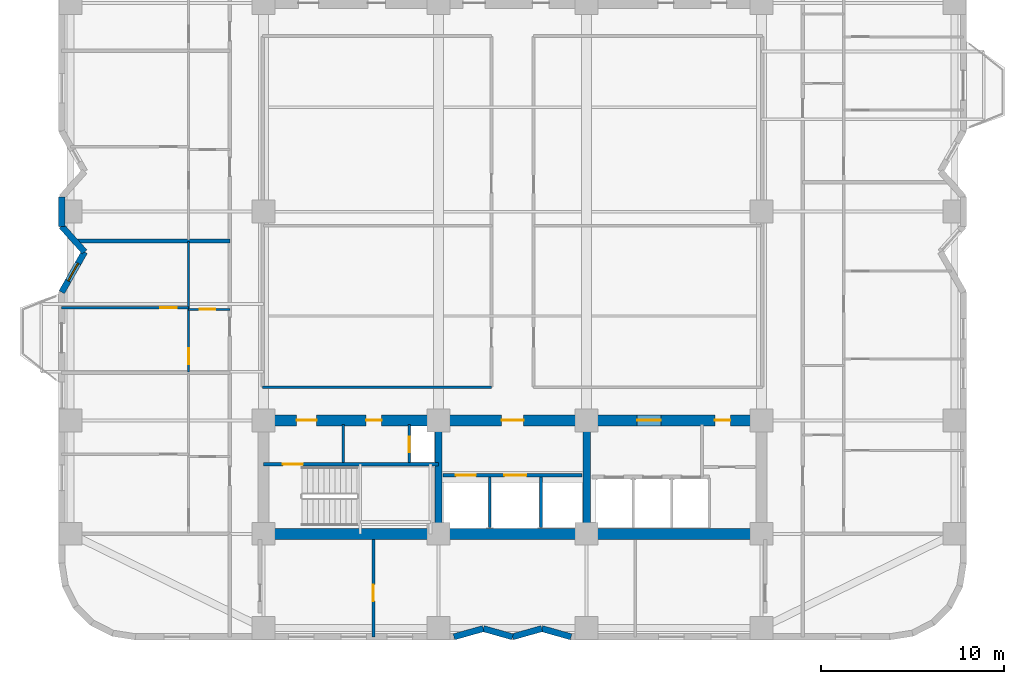
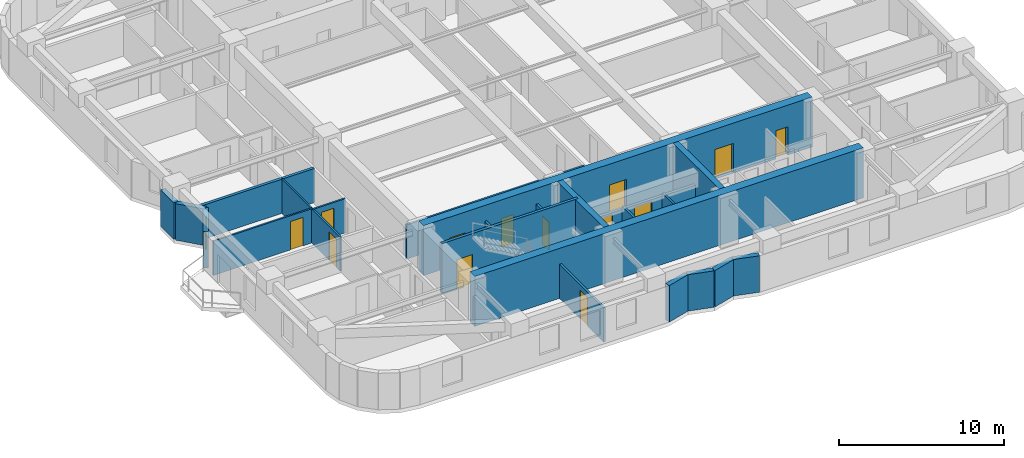
# One storey, part 3 of 9: 23 walls, 13 doors, 1 window, 14 openings.
"""IFC4 building model written with IfcOpenShell, lengths in metres."""

from ifc_helpers import new_model, si_unit, direction, frame, frame_2d, origin, place, context, subcontext, project, spatial, rectangle, extrude, material, layer, layer_set, type_object, element, fill, save


model = new_model("IFC4")

# Units and contexts
model_context = context("Model", 3, precision=1e-05, world=origin(), true_north=direction((0.0, 1.0)))
body_context = subcontext(model_context, "Body", "Model", "MODEL_VIEW")
ifc_project = project(units=[si_unit("LENGTHUNIT", "METRE"), si_unit("AREAUNIT", "SQUARE_METRE"), si_unit("VOLUMEUNIT", "CUBIC_METRE"), si_unit("PLANEANGLEUNIT", "RADIAN"), si_unit("MASSUNIT", "GRAM", prefix="KILO")], contexts=[model_context])

# Site, building, storey
site_placement = place(None, origin())
site = spatial("IfcSite", under=ifc_project, at=site_placement, CompositionType="ELEMENT")
building_placement = place(site_placement, origin())
building = spatial("IfcBuilding", under=site, at=building_placement, Name="Svetorya Sky Lyceum", CompositionType="ELEMENT")
storey_placement = place(building_placement, frame((0.0, 0.0, 51.0)))
storey = spatial("IfcBuildingStorey", under=building, at=storey_placement, Name="L12", CompositionType="ELEMENT", Elevation=51.0)

# Walls
ifc_material_1 = material(Name="Concrete C40/50", Category="concrete")
ifc_layer_1 = layer(ifc_material_1, 0.39990234375)
ifc_layer_set_1 = layer_set([ifc_layer_1], Name="Concrete C40/50")
wall_type_1 = type_object("IfcWallType", Name="WL-CORE-400", PredefinedType="SHEAR", material=ifc_layer_set_1)
for number, where, z_axis, x_axis, name in (
    (1, (35.14990234375, 10.89990234375, 0.0), (0.0, 0.0, 1.0), (0.0, 1.0, 0.0), "L12 SC Internal Shear Web WEB1"),
    (2, (43.25, 10.89990234375, 0.0), (0.0, 0.0, 1.0), (0.0, 1.0, 0.0), "L12 SC Internal Shear Web WEB2"),
):
    element("IfcWall", number, at=place(storey_placement, frame(where, z_axis=z_axis, x_axis=x_axis)), inside=storey, type_object=wall_type_1, Name=name, PredefinedType="SHEAR", context=body_context, shape_type="SweptSolid", body=[
        extrude(rectangle(XDim=5.60009765625, YDim=0.39990234375, at=frame_2d((2.800048828125, 0.0))), origin(), (0.0, 0.0, 1.0), 3.699951171875),
    ])
ifc_material_2 = material(Name="Concrete C60/75", Category="concrete")
ifc_layer_2 = layer(ifc_material_2, 0.60009765625)
ifc_layer_set_2 = layer_set([ifc_layer_2], Name="Concrete C60/75")
wall_type_2 = type_object("IfcWallType", Name="WL-CORE-600", PredefinedType="SHEAR", material=ifc_layer_set_2)
wall_1_placement = place(storey_placement, frame((52.800048828125, 10.60009765625, 0.0), z_axis=(0.0, 0.0, 1.0), x_axis=(-1.0, 0.0, 0.0)))
element("IfcWall", 3, at=wall_1_placement, inside=storey, type_object=wall_type_2, Name="L12 SC Outer Core Shear Wall", PredefinedType="SHEAR", context=body_context, shape_type="SweptSolid", body=[
    extrude(rectangle(XDim=27.199951171875, YDim=0.60009765625, at=frame_2d((13.60009765625, 0.0))), origin(), (0.0, 0.0, 1.0), 3.699951171875),
])

# Wall, openings, doors
wall_2_placement = place(storey_placement, frame((25.60009765625, 16.800048828125, 0.0), z_axis=(0.0, 0.0, 1.0), x_axis=(1.0, 0.0, 0.0)))
wall_2 = element("IfcWall", 4, at=wall_2_placement, inside=storey, type_object=wall_type_2, Name="L12 SC Inner Core Shear Wall", PredefinedType="SHEAR", context=body_context, shape_type="SweptSolid", body=[
    extrude(rectangle(XDim=27.199951171875, YDim=0.60009765625, at=frame_2d((13.60009765625, 0.0))), origin(), (0.0, 0.0, 1.0), 3.699951171875),
])
opening_1_placement = place(wall_2_placement, frame((1.800048828125, 0.0, 0.0)))
opening_1 = element("IfcOpeningElement", 5, at=opening_1_placement, cuts=wall_2, Name="Opening D-ST1", PredefinedType="OPENING", context=body_context, shape_type="SweptSolid", body=[
    extrude(rectangle(XDim=1.10009765625, YDim=2.14990234375, at=frame_2d((0.550048828125, 1.074951171875))), frame((0.0, 0.31005859375, 0.0), z_axis=(0.0, -1.0, 0.0), x_axis=(1.0, 0.0, 0.0)), (0.0, 0.0, 1.0), 0.6201171875),
])
opening_2_placement = place(wall_2_placement, frame((5.60009765625, 0.0, 0.0)))
opening_2 = element("IfcOpeningElement", 6, at=opening_2_placement, cuts=wall_2, Name="Opening D-CWC1", PredefinedType="OPENING", context=body_context, shape_type="SweptSolid", body=[
    extrude(rectangle(XDim=0.85009765625, YDim=2.10009765625, at=frame_2d((0.425048828125, 1.050048828125))), frame((0.0, 0.31005859375, 0.0), z_axis=(0.0, -1.0, 0.0), x_axis=(1.0, 0.0, 0.0)), (0.0, 0.0, 1.0), 0.6201171875),
])
opening_3_placement = place(wall_2_placement, frame((13.0, 0.0, 0.0)))
opening_3 = element("IfcOpeningElement", 7, at=opening_3_placement, cuts=wall_2, Name="Opening D-FL1", PredefinedType="OPENING", context=body_context, shape_type="SweptSolid", body=[
    extrude(rectangle(XDim=1.199951171875, YDim=2.14990234375, at=frame_2d((0.60009765625, 1.074951171875))), frame((0.0, 0.31005859375, 0.0), z_axis=(0.0, -1.0, 0.0), x_axis=(1.0, 0.0, 0.0)), (0.0, 0.0, 1.0), 0.6201171875),
])
opening_4_placement = place(wall_2_placement, frame((20.39990234375, 0.0, 0.0)))
opening_4 = element("IfcOpeningElement", 8, at=opening_4_placement, cuts=wall_2, Name="Opening D-LB1", PredefinedType="OPENING", context=body_context, shape_type="SweptSolid", body=[
    extrude(rectangle(XDim=1.300048828125, YDim=2.199951171875, at=frame_2d((0.64990234375, 1.10009765625))), frame((0.0, 0.31005859375, 0.0), z_axis=(0.0, -1.0, 0.0), x_axis=(1.0, 0.0, 0.0)), (0.0, 0.0, 1.0), 0.6201171875),
])
opening_5_placement = place(wall_2_placement, frame((24.64990234375, 0.0, 0.0)))
opening_5 = element("IfcOpeningElement", 9, at=opening_5_placement, cuts=wall_2, Name="Opening D-CWC1", PredefinedType="OPENING", context=body_context, shape_type="SweptSolid", body=[
    extrude(rectangle(XDim=0.85009765625, YDim=2.10009765625, at=frame_2d((0.425048828125, 1.050048828125))), frame((0.0, 0.31005859375, 0.0), z_axis=(0.0, -1.0, 0.0), x_axis=(1.0, 0.0, 0.0)), (0.0, 0.0, 1.0), 0.6201171875),
])
ifc_material_3 = material(Name="Fire-rated galvanized steel core service closet door", Category="steel")
door_type_1 = type_object("IfcDoorType", Name="DR-CWET-850", OperationType="SINGLE_SWING_LEFT", PredefinedType="DOOR", material=ifc_material_3)
door_1_placement = place(opening_2_placement, origin())
door_1 = element("IfcDoor", 10, at=door_1_placement, inside=storey, type_object=door_type_1, Name="L12 South Hydrant Room Door", OperationType="SINGLE_SWING_LEFT", OverallHeight=2.10009765625, OverallWidth=0.85009765625, PredefinedType="DOOR", context=body_context, shape_type="SweptSolid", body=[
    extrude(rectangle(XDim=0.85009765625, YDim=2.10009765625, at=frame_2d((0.425048828125, 1.050048828125))), frame((0.0, 0.02490234375, 0.0), z_axis=(0.0, -1.0, 0.0), x_axis=(1.0, 0.0, 0.0)), (0.0, 0.0, 1.0), 0.050048828125),
])
fill(opening_2, door_1)
door_2_placement = place(opening_5_placement, origin())
door_2 = element("IfcDoor", 11, at=door_2_placement, inside=storey, type_object=door_type_1, Name="L12 South Core Auxiliary Door", OperationType="SINGLE_SWING_LEFT", OverallHeight=2.10009765625, OverallWidth=0.85009765625, PredefinedType="DOOR", context=body_context, shape_type="SweptSolid", body=[
    extrude(rectangle(XDim=0.85009765625, YDim=2.10009765625, at=frame_2d((0.425048828125, 1.050048828125))), frame((0.0, 0.02490234375, 0.0), z_axis=(0.0, -1.0, 0.0), x_axis=(1.0, 0.0, 0.0)), (0.0, 0.0, 1.0), 0.050048828125),
])
fill(opening_5, door_2)
ifc_material_4 = material(Name="Powder-coated insulated galvanized stair fire door")
door_type_2 = type_object("IfcDoorType", Name="DR-FIRE-1100", OperationType="SINGLE_SWING_LEFT", PredefinedType="DOOR", material=ifc_material_4)
door_3_placement = place(opening_1_placement, origin())
door_3 = element("IfcDoor", 12, at=door_3_placement, inside=storey, type_object=door_type_2, Name="L12 South Stair Airlock Door", OperationType="SINGLE_SWING_RIGHT", OverallHeight=2.14990234375, OverallWidth=1.10009765625, PredefinedType="DOOR", context=body_context, shape_type="SweptSolid", body=[
    extrude(rectangle(XDim=1.10009765625, YDim=2.14990234375, at=frame_2d((0.550048828125, 1.074951171875))), frame((0.0, 0.02490234375, 0.0), z_axis=(0.0, -1.0, 0.0), x_axis=(1.0, 0.0, 0.0)), (0.0, 0.0, 1.0), 0.050048828125),
])
fill(opening_1, door_3)
ifc_material_5 = material(Name="Powder-coated insulated galvanized fire door")
door_type_3 = type_object("IfcDoorType", Name="DR-FIRE-1200", OperationType="SINGLE_SWING_LEFT", PredefinedType="DOOR", material=ifc_material_5)
door_4_placement = place(opening_3_placement, origin())
door_4 = element("IfcDoor", 13, at=door_4_placement, inside=storey, type_object=door_type_3, Name="L12 South Firefighting Lift Lobby Door", OperationType="SINGLE_SWING_LEFT", OverallHeight=2.14990234375, OverallWidth=1.199951171875, PredefinedType="DOOR", context=body_context, shape_type="SweptSolid", body=[
    extrude(rectangle(XDim=1.199951171875, YDim=2.14990234375, at=frame_2d((0.60009765625, 1.074951171875))), frame((0.0, 0.02490234375, 0.0), z_axis=(0.0, -1.0, 0.0), x_axis=(1.0, 0.0, 0.0)), (0.0, 0.0, 1.0), 0.050048828125),
])
fill(opening_3, door_4)
ifc_material_6 = material(Name="Glazed fire-rated aluminium lobby door", Category="aluminium")
door_type_4 = type_object("IfcDoorType", Name="DR-LOB-1300", OperationType="SINGLE_SWING_LEFT", PredefinedType="DOOR", material=ifc_material_6)
door_5_placement = place(opening_4_placement, origin())
door_5 = element("IfcDoor", 14, at=door_5_placement, inside=storey, type_object=door_type_4, Name="L12 Low-Rise Lift Lobby Door", OperationType="SINGLE_SWING_RIGHT", OverallHeight=2.199951171875, OverallWidth=1.300048828125, PredefinedType="DOOR", context=body_context, shape_type="SweptSolid", body=[
    extrude(rectangle(XDim=1.300048828125, YDim=2.199951171875, at=frame_2d((0.64990234375, 1.10009765625))), frame((0.0, 0.02490234375, 0.0), z_axis=(0.0, -1.0, 0.0), x_axis=(1.0, 0.0, 0.0)), (0.0, 0.0, 1.0), 0.050048828125),
])
fill(opening_4, door_5)

# Walls
ifc_material_7 = material(Name="Putilovo limestone rainscreen on autoclaved cellular masonry", Category="masonry")
ifc_layer_3 = layer(ifc_material_7, 0.340087890625)
ifc_layer_set_3 = layer_set([ifc_layer_3], Name="Putilovo limestone rainscreen on autoclaved cellular masonry")
wall_type_3 = type_object("IfcWallType", Name="WL-EXT-340", PredefinedType="SOLIDWALL", material=ifc_layer_set_3)
wall_3_placement = place(storey_placement, frame((36.0, 4.969970703125, 0.0), z_axis=(0.0, 0.0, 1.0), x_axis=(0.962662902433, 0.270703040766, 0.0)))
element("IfcWall", 15, at=wall_3_placement, inside=storey, type_object=wall_type_3, Name="L12 Limestone Exterior Wall 7M", PredefinedType="SOLIDWALL", context=body_context, shape_type="SweptSolid", body=[
    extrude(rectangle(XDim=1.662109375, YDim=0.340087890625, at=frame_2d((0.8310546875, 0.0))), origin(), (0.0, 0.0, 1.0), 2.699951171875),
])
wall_4_placement = place(storey_placement, frame((37.60009765625, 5.419921875, 0.0), z_axis=(0.0, 0.0, 1.0), x_axis=(0.962652136636, -0.270741322725, 0.0)))
element("IfcWall", 16, at=wall_4_placement, inside=storey, type_object=wall_type_3, Name="L12 Limestone Exterior Wall 8M", PredefinedType="SOLIDWALL", context=body_context, shape_type="SweptSolid", body=[
    extrude(rectangle(XDim=1.661865234375, YDim=0.340087890625, at=frame_2d((0.8310546875, 0.0))), origin(), (0.0, 0.0, 1.0), 2.699951171875),
])
wall_5_placement = place(storey_placement, frame((39.199951171875, 4.969970703125, 0.0), z_axis=(0.0, 0.0, 1.0), x_axis=(0.962662902433, 0.270703040766, 0.0)))
element("IfcWall", 17, at=wall_5_placement, inside=storey, type_object=wall_type_3, Name="L12 Limestone Exterior Wall 9M", PredefinedType="SOLIDWALL", context=body_context, shape_type="SweptSolid", body=[
    extrude(rectangle(XDim=1.662109375, YDim=0.340087890625, at=frame_2d((0.8310546875, 0.0))), origin(), (0.0, 0.0, 1.0), 2.699951171875),
])
wall_6_placement = place(storey_placement, frame((40.800048828125, 5.419921875, 0.0), z_axis=(0.0, 0.0, 1.0), x_axis=(0.962652136636, -0.270741322725, 0.0)))
element("IfcWall", 18, at=wall_6_placement, inside=storey, type_object=wall_type_3, Name="L12 Limestone Exterior Wall 10M", PredefinedType="SOLIDWALL", context=body_context, shape_type="SweptSolid", body=[
    extrude(rectangle(XDim=1.661865234375, YDim=0.340087890625, at=frame_2d((0.8310546875, 0.0))), origin(), (0.0, 0.0, 1.0), 2.699951171875),
])
wall_7_placement = place(storey_placement, frame((14.570068359375, 29.0, 0.0), z_axis=(0.0, 0.0, 1.0), x_axis=(0.0, -1.0, 0.0)))
element("IfcWall", 19, at=wall_7_placement, inside=storey, type_object=wall_type_3, Name="L12 Limestone Exterior Wall 43M", PredefinedType="SOLIDWALL", context=body_context, shape_type="SweptSolid", body=[
    extrude(rectangle(XDim=1.60009765625, YDim=0.340087890625, at=frame_2d((0.800048828125, 0.0))), origin(), (0.0, 0.0, 1.0), 2.699951171875),
])
wall_8_placement = place(storey_placement, frame((14.570068359375, 27.39990234375, 0.0), z_axis=(0.0, 0.0, 1.0), x_axis=(0.666041619974, -0.74591457987, 0.0)))
element("IfcWall", 20, at=wall_8_placement, inside=storey, type_object=wall_type_3, Name="L12 Limestone Exterior Wall 44M", PredefinedType="SOLIDWALL", context=body_context, shape_type="SweptSolid", body=[
    extrude(rectangle(XDim=1.876708984375, YDim=0.340087890625, at=frame_2d((0.9384765625, 0.0))), origin(), (0.0, 0.0, 1.0), 2.699951171875),
])

# Wall, opening, window
wall_9_placement = place(storey_placement, frame((15.820068359375, 26.0, 0.0), z_axis=(0.0, 0.0, 1.0), x_axis=(-0.494017696272, -0.869451847873, 0.0)))
wall_9 = element("IfcWall", 21, at=wall_9_placement, inside=storey, type_object=wall_type_3, Name="L12 Limestone Exterior Wall 45M", PredefinedType="SOLIDWALL", context=body_context, shape_type="SweptSolid", body=[
    extrude(rectangle(XDim=2.5302734375, YDim=0.340087890625, at=frame_2d((1.26513671875, 0.0))), origin(), (0.0, 0.0, 1.0), 2.699951171875),
])
opening_6_placement = place(wall_9_placement, frame((0.715087890625, 0.0, 0.889892578125)))
opening_6 = element("IfcOpeningElement", 22, at=opening_6_placement, cuts=wall_9, Name="Opening W-R3", PredefinedType="OPENING", context=body_context, shape_type="SweptSolid", body=[
    extrude(rectangle(XDim=1.10009765625, YDim=1.64990234375, at=frame_2d((0.550048828125, 0.824951171875))), frame((0.0, 0.179931640625, 0.0), z_axis=(0.0, -1.0, 0.0), x_axis=(1.0, 0.0, 0.0)), (0.0, 0.0, 1.0), 0.360107421875),
])
ifc_material_8 = material(Name="Thermally broken aluminium frame with triple low-E glazing", Category="aluminium")
window_type = type_object("IfcWindowType", Name="WN-RES-110", PartitioningType="SINGLE_PANEL", PredefinedType="WINDOW", material=ifc_material_8)
window_placement = place(opening_6_placement, origin())
window = element("IfcWindow", 23, at=window_placement, inside=storey, type_object=window_type, Name="L12 Facade Window W-R3.45M.1", OverallHeight=1.64990234375, OverallWidth=1.10009765625, PartitioningType="SINGLE_PANEL", PredefinedType="WINDOW", context=body_context, shape_type="SweptSolid", body=[
    extrude(rectangle(XDim=1.10009765625, YDim=1.64990234375, at=frame_2d((0.550048828125, 0.824951171875))), frame((0.0, 0.030029296875, 0.0), z_axis=(0.0, -1.0, 0.0), x_axis=(1.0, 0.0, 0.0)), (0.0, 0.0, 1.0), 0.06005859375),
])
fill(opening_6, window)

# Wall, opening, door
ifc_material_9 = material(Name="Twin-stud galvanized framing with double fireboard", Category="gypsum")
ifc_layer_4 = layer(ifc_material_9, 0.1201171875)
ifc_layer_set_4 = layer_set([ifc_layer_4], Name="Twin-stud galvanized framing with double fireboard")
wall_type_4 = type_object("IfcWallType", Name="WL-PART-120", PredefinedType="PARTITIONING", material=ifc_layer_set_4)
wall_10_placement = place(storey_placement, frame((21.5, 22.860107421875, 0.0), z_axis=(0.0, 0.0, 1.0), x_axis=(1.0, 0.0, 0.0)))
wall_10 = element("IfcWall", 24, at=wall_10_placement, inside=storey, type_object=wall_type_4, Name="L12 Interior Partition W2-WH1", PredefinedType="PARTITIONING", context=body_context, shape_type="SweptSolid", body=[
    extrude(rectangle(XDim=2.25, YDim=0.1201171875, at=frame_2d((1.125, 0.0))), origin(), (0.0, 0.0, 1.0), 2.530029296875),
])
opening_7_placement = place(wall_10_placement, frame((0.60009765625, 0.0, 0.0)))
opening_7 = element("IfcOpeningElement", 25, at=opening_7_placement, cuts=wall_10, Name="Opening D-BT1", PredefinedType="OPENING", context=body_context, shape_type="SweptSolid", body=[
    extrude(rectangle(XDim=0.85009765625, YDim=2.10009765625, at=frame_2d((0.425048828125, 1.050048828125))), frame((0.0, 0.070068359375, 0.0), z_axis=(0.0, -1.0, 0.0), x_axis=(1.0, 0.0, 0.0)), (0.0, 0.0, 1.0), 0.14013671875),
])
ifc_material_10 = material(Name="Moisture-resistant laminate bathroom door")
door_type_5 = type_object("IfcDoorType", Name="DR-WET-850", OperationType="SINGLE_SWING_LEFT", PredefinedType="DOOR", material=ifc_material_10)
door_6_placement = place(opening_7_placement, origin())
door_6 = element("IfcDoor", 26, at=door_6_placement, inside=storey, type_object=door_type_5, Name="Apartment W2 Bathroom Door", OperationType="SINGLE_SWING_RIGHT", OverallHeight=2.10009765625, OverallWidth=0.85009765625, PredefinedType="DOOR", context=body_context, shape_type="SweptSolid", body=[
    extrude(rectangle(XDim=0.85009765625, YDim=2.10009765625, at=frame_2d((0.425048828125, 1.050048828125))), frame((0.0, 0.02490234375, 0.0), z_axis=(0.0, -1.0, 0.0), x_axis=(1.0, 0.0, 0.0)), (0.0, 0.0, 1.0), 0.050048828125),
])
fill(opening_7, door_6)

wall_11_placement = place(storey_placement, frame((14.570068359375, 22.949951171875, 0.0), z_axis=(0.0, 0.0, 1.0), x_axis=(1.0, 0.0, 0.0)))
wall_11 = element("IfcWall", 27, at=wall_11_placement, inside=storey, type_object=wall_type_4, Name="L12 Interior Partition W2-WL1", PredefinedType="PARTITIONING", context=body_context, shape_type="SweptSolid", body=[
    extrude(rectangle(XDim=6.929931640625, YDim=0.1201171875, at=frame_2d((3.46484375, 0.0))), origin(), (0.0, 0.0, 1.0), 2.530029296875),
])
opening_8_placement = place(wall_11_placement, frame((5.3798828125, 0.0, 0.0)))
opening_8 = element("IfcOpeningElement", 28, at=opening_8_placement, cuts=wall_11, Name="Opening D-RM1", PredefinedType="OPENING", context=body_context, shape_type="SweptSolid", body=[
    extrude(rectangle(XDim=0.89990234375, YDim=2.10009765625, at=frame_2d((0.449951171875, 1.050048828125))), frame((0.0, 0.070068359375, 0.0), z_axis=(0.0, -1.0, 0.0), x_axis=(1.0, 0.0, 0.0)), (0.0, 0.0, 1.0), 0.14013671875),
])
ifc_material_11 = material(Name="Lacquered birch veneer internal door")
door_type_6 = type_object("IfcDoorType", Name="DR-INT-900", OperationType="SINGLE_SWING_LEFT", PredefinedType="DOOR", material=ifc_material_11)
door_7_placement = place(opening_8_placement, origin())
door_7 = element("IfcDoor", 29, at=door_7_placement, inside=storey, type_object=door_type_6, Name="Apartment W2 Bedroom 1 Door", OperationType="SINGLE_SWING_RIGHT", OverallHeight=2.10009765625, OverallWidth=0.89990234375, PredefinedType="DOOR", context=body_context, shape_type="SweptSolid", body=[
    extrude(rectangle(XDim=0.89990234375, YDim=2.10009765625, at=frame_2d((0.449951171875, 1.050048828125))), frame((0.0, 0.02490234375, 0.0), z_axis=(0.0, -1.0, 0.0), x_axis=(1.0, 0.0, 0.0)), (0.0, 0.0, 1.0), 0.050048828125),
])
fill(opening_8, door_7)

wall_12_placement = place(storey_placement, frame((21.5, 19.43994140625, 0.0), z_axis=(0.0, 0.0, 1.0), x_axis=(0.0, 1.0, 0.0)))
wall_12 = element("IfcWall", 30, at=wall_12_placement, inside=storey, type_object=wall_type_4, Name="L12 Interior Partition W2-WV", PredefinedType="PARTITIONING", context=body_context, shape_type="SweptSolid", body=[
    extrude(rectangle(XDim=7.1201171875, YDim=0.1201171875, at=frame_2d((3.56005859375, 0.0))), origin(), (0.0, 0.0, 1.0), 2.530029296875),
])
opening_9_placement = place(wall_12_placement, frame((0.409912109375, 0.0, 0.0)))
opening_9 = element("IfcOpeningElement", 31, at=opening_9_placement, cuts=wall_12, Name="Opening D-RM1", PredefinedType="OPENING", context=body_context, shape_type="SweptSolid", body=[
    extrude(rectangle(XDim=0.89990234375, YDim=2.10009765625, at=frame_2d((0.449951171875, 1.050048828125))), frame((0.0, 0.070068359375, 0.0), z_axis=(0.0, -1.0, 0.0), x_axis=(1.0, 0.0, 0.0)), (0.0, 0.0, 1.0), 0.14013671875),
])
door_8_placement = place(opening_9_placement, origin())
door_8 = element("IfcDoor", 32, at=door_8_placement, inside=storey, type_object=door_type_6, Name="Apartment W2 Living Door", OperationType="SINGLE_SWING_LEFT", OverallHeight=2.10009765625, OverallWidth=0.89990234375, PredefinedType="DOOR", context=body_context, shape_type="SweptSolid", body=[
    extrude(rectangle(XDim=0.89990234375, YDim=2.10009765625, at=frame_2d((0.449951171875, 1.050048828125))), frame((0.0, 0.02490234375, 0.0), z_axis=(0.0, -1.0, 0.0), x_axis=(1.0, 0.0, 0.0)), (0.0, 0.0, 1.0), 0.050048828125),
])
fill(opening_9, door_8)

# Wall
ifc_material_12 = material(Name="Autoclaved cellular masonry blockwork with acoustic render", Category="masonry")
ifc_layer_5 = layer(ifc_material_12, 0.14990234375)
ifc_layer_set_5 = layer_set([ifc_layer_5], Name="Autoclaved cellular masonry blockwork with acoustic render")
wall_type_5 = type_object("IfcWallType", Name="WL-PART-150", PredefinedType="PARTITIONING", material=ifc_layer_set_5)
wall_13_placement = place(storey_placement, frame((29.949951171875, 14.5, 0.0), z_axis=(0.0, 0.0, 1.0), x_axis=(0.0, 1.0, 0.0)))
element("IfcWall", 33, at=wall_13_placement, inside=storey, type_object=wall_type_5, Name="L12 Interior Partition SC-SWD1", PredefinedType="PARTITIONING", context=body_context, shape_type="SweptSolid", body=[
    extrude(rectangle(XDim=2.080078125, YDim=0.14990234375, at=frame_2d((1.0400390625, 0.0))), origin(), (0.0, 0.0, 1.0), 2.530029296875),
])

# Wall, opening, door
wall_14_placement = place(storey_placement, frame((33.550048828125, 14.5, 0.0), z_axis=(0.0, 0.0, 1.0), x_axis=(0.0, 1.0, 0.0)))
wall_14 = element("IfcWall", 34, at=wall_14_placement, inside=storey, type_object=wall_type_5, Name="L12 Interior Partition SC-SWD2", PredefinedType="PARTITIONING", context=body_context, shape_type="SweptSolid", body=[
    extrude(rectangle(XDim=2.080078125, YDim=0.14990234375, at=frame_2d((1.0400390625, 0.0))), origin(), (0.0, 0.0, 1.0), 2.530029296875),
])
opening_10_placement = place(wall_14_placement, frame((0.550048828125, 0.0, 0.0)))
opening_10 = element("IfcOpeningElement", 35, at=opening_10_placement, cuts=wall_14, Name="Opening D-SH1", PredefinedType="OPENING", context=body_context, shape_type="SweptSolid", body=[
    extrude(rectangle(XDim=0.85009765625, YDim=2.050048828125, at=frame_2d((0.425048828125, 1.02490234375))), frame((0.0, 0.0849609375, 0.0), z_axis=(0.0, -1.0, 0.0), x_axis=(1.0, 0.0, 0.0)), (0.0, 0.0, 1.0), 0.169921875),
])
ifc_material_13 = material(Name="Insulated galvanized riser inspection fire door")
door_type_7 = type_object("IfcDoorType", Name="DR-SHFT-850", OperationType="SINGLE_SWING_LEFT", PredefinedType="TRAPDOOR", material=ifc_material_13)
door_9_placement = place(opening_10_placement, origin())
door_9 = element("IfcDoor", 36, at=door_9_placement, inside=storey, type_object=door_type_7, Name="L12 South Riser Access Door", OperationType="SINGLE_SWING_RIGHT", OverallHeight=2.050048828125, OverallWidth=0.85009765625, PredefinedType="TRAPDOOR", context=body_context, shape_type="SweptSolid", body=[
    extrude(rectangle(XDim=0.85009765625, YDim=2.050048828125, at=frame_2d((0.425048828125, 1.02490234375))), frame((0.0, 0.02490234375, 0.0), z_axis=(0.0, -1.0, 0.0), x_axis=(1.0, 0.0, 0.0)), (0.0, 0.0, 1.0), 0.050048828125),
])
fill(opening_10, door_9)

# Walls
for number, where, z_axis, x_axis, name in (
    (37, (37.949951171875, 10.949951171875, 0.0), (0.0, 0.0, 1.0), (0.0, 1.0, 0.0), "L12 Interior Partition SC-SHD1"),
    (38, (40.75, 10.949951171875, 0.0), (0.0, 0.0, 1.0), (0.0, 1.0, 0.0), "L12 Interior Partition SC-SHD2"),
):
    element("IfcWall", number, at=place(storey_placement, frame(where, z_axis=z_axis, x_axis=x_axis)), inside=storey, type_object=wall_type_5, Name=name, PredefinedType="PARTITIONING", context=body_context, shape_type="SweptSolid", body=[
        extrude(rectangle(XDim=2.75, YDim=0.14990234375, at=frame_2d((1.375, 0.0))), origin(), (0.0, 0.0, 1.0), 2.530029296875),
    ])
wall_15_placement = place(storey_placement, frame((25.550048828125, 18.60009765625, 0.0), z_axis=(0.0, 0.0, 1.0), x_axis=(1.0, 0.0, 0.0)))
element("IfcWall", 39, at=wall_15_placement, inside=storey, type_object=wall_type_5, Name="L12 Interior Partition CS-MID-W", PredefinedType="PARTITIONING", context=body_context, shape_type="SweptSolid", body=[
    extrude(rectangle(XDim=12.5, YDim=0.14990234375, at=frame_2d((6.25, 0.0))), origin(), (0.0, 0.0, 1.0), 2.530029296875),
])

# Wall, opening, door
wall_16_placement = place(storey_placement, frame((31.60009765625, 4.969970703125, 0.0), z_axis=(0.0, 0.0, 1.0), x_axis=(0.0, 1.0, 0.0)))
wall_16 = element("IfcWall", 40, at=wall_16_placement, inside=storey, type_object=wall_type_5, Name="L12 Interior Partition S-D1", PredefinedType="PARTITIONING", context=body_context, shape_type="SweptSolid", body=[
    extrude(rectangle(XDim=5.330078125, YDim=0.14990234375, at=frame_2d((2.6650390625, 0.0))), origin(), (0.0, 0.0, 1.0), 2.530029296875),
])
opening_11_placement = place(wall_16_placement, frame((1.949951171875, 0.0, 0.0)))
opening_11 = element("IfcOpeningElement", 41, at=opening_11_placement, cuts=wall_16, Name="Opening D-RM1", PredefinedType="OPENING", context=body_context, shape_type="SweptSolid", body=[
    extrude(rectangle(XDim=0.89990234375, YDim=2.10009765625, at=frame_2d((0.449951171875, 1.050048828125))), frame((0.0, 0.0849609375, 0.0), z_axis=(0.0, -1.0, 0.0), x_axis=(1.0, 0.0, 0.0)), (0.0, 0.0, 1.0), 0.169921875),
])
door_10_placement = place(opening_11_placement, origin())
door_10 = element("IfcDoor", 42, at=door_10_placement, inside=storey, type_object=door_type_6, Name="L12 South Store Door", OperationType="SINGLE_SWING_LEFT", OverallHeight=2.10009765625, OverallWidth=0.89990234375, PredefinedType="DOOR", context=body_context, shape_type="SweptSolid", body=[
    extrude(rectangle(XDim=0.89990234375, YDim=2.10009765625, at=frame_2d((0.449951171875, 1.050048828125))), frame((0.0, 0.02490234375, 0.0), z_axis=(0.0, -1.0, 0.0), x_axis=(1.0, 0.0, 0.0)), (0.0, 0.0, 1.0), 0.050048828125),
])
fill(opening_11, door_10)

# Wall, openings, doors
ifc_material_14 = material(Name="Autoclaved cellular masonry blockwork with gypsum plaster", Category="masonry")
ifc_layer_6 = layer(ifc_material_14, 0.199951171875)
ifc_layer_set_6 = layer_set([ifc_layer_6], Name="Autoclaved cellular masonry blockwork with gypsum plaster")
wall_type_6 = type_object("IfcWallType", Name="WL-PART-200", PredefinedType="PARTITIONING", material=ifc_layer_set_6)
wall_17_placement = place(storey_placement, frame((35.39990234375, 13.800048828125, 0.0), z_axis=(0.0, 0.0, 1.0), x_axis=(1.0, 0.0, 0.0)))
wall_17 = element("IfcWall", 43, at=wall_17_placement, inside=storey, type_object=wall_type_6, Name="L12 Interior Partition SC-FLW", PredefinedType="PARTITIONING", context=body_context, shape_type="SweptSolid", body=[
    extrude(rectangle(XDim=7.60009765625, YDim=0.199951171875, at=frame_2d((3.800048828125, 0.0))), origin(), (0.0, 0.0, 1.0), 2.300048828125),
])
opening_12_placement = place(wall_17_placement, frame((0.699951171875, 0.0, 0.0)))
opening_12 = element("IfcOpeningElement", 44, at=opening_12_placement, cuts=wall_17, Name="Opening LD-FL", PredefinedType="OPENING", context=body_context, shape_type="SweptSolid", body=[
    extrude(rectangle(XDim=1.10009765625, YDim=2.14990234375, at=frame_2d((0.550048828125, 1.074951171875))), frame((0.0, 0.10986328125, 0.0), z_axis=(0.0, -1.0, 0.0), x_axis=(1.0, 0.0, 0.0)), (0.0, 0.0, 1.0), 0.219970703125),
])
opening_13_placement = place(wall_17_placement, frame((3.35009765625, 0.0, 0.0)))
opening_13 = element("IfcOpeningElement", 45, at=opening_13_placement, cuts=wall_17, Name="Opening LD-SV", PredefinedType="OPENING", context=body_context, shape_type="SweptSolid", body=[
    extrude(rectangle(XDim=1.199951171875, YDim=2.14990234375, at=frame_2d((0.60009765625, 1.074951171875))), frame((0.0, 0.10986328125, 0.0), z_axis=(0.0, -1.0, 0.0), x_axis=(1.0, 0.0, 0.0)), (0.0, 0.0, 1.0), 0.219970703125),
])
ifc_material_15 = material(Name="Fire-rated stainless AISI 304 firefighting lift landing door")
door_type_8 = type_object("IfcDoorType", Name="DR-LIFT-1100", OperationType="SLIDING_TO_LEFT", PredefinedType="DOOR", material=ifc_material_15)
door_11_placement = place(opening_12_placement, origin())
door_11 = element("IfcDoor", 46, at=door_11_placement, inside=storey, type_object=door_type_8, Name="L12 Firefighting Lift FL2 Landing Door", OperationType="SLIDING_TO_LEFT", OverallHeight=2.14990234375, OverallWidth=1.10009765625, PredefinedType="DOOR", context=body_context, shape_type="SweptSolid", body=[
    extrude(rectangle(XDim=1.10009765625, YDim=2.14990234375, at=frame_2d((0.550048828125, 1.074951171875))), frame((0.0, 0.02490234375, 0.0), z_axis=(0.0, -1.0, 0.0), x_axis=(1.0, 0.0, 0.0)), (0.0, 0.0, 1.0), 0.050048828125),
])
fill(opening_12, door_11)
ifc_material_16 = material(Name="Brushed stainless AISI 304 telescopic lift landing door")
door_type_9 = type_object("IfcDoorType", Name="DR-LIFT-1200", OperationType="SLIDING_TO_LEFT", PredefinedType="DOOR", material=ifc_material_16)
door_12_placement = place(opening_13_placement, origin())
door_12 = element("IfcDoor", 47, at=door_12_placement, inside=storey, type_object=door_type_9, Name="L12 Service Lift SVL1 Landing Door", OperationType="SLIDING_TO_LEFT", OverallHeight=2.14990234375, OverallWidth=1.199951171875, PredefinedType="DOOR", context=body_context, shape_type="SweptSolid", body=[
    extrude(rectangle(XDim=1.199951171875, YDim=2.14990234375, at=frame_2d((0.60009765625, 1.074951171875))), frame((0.0, 0.02490234375, 0.0), z_axis=(0.0, -1.0, 0.0), x_axis=(1.0, 0.0, 0.0)), (0.0, 0.0, 1.0), 0.050048828125),
])
fill(opening_13, door_12)

# Wall
wall_18_placement = place(storey_placement, frame((15.2841796875, 26.60009765625, 0.0), z_axis=(0.0, 0.0, 1.0), x_axis=(1.0, 0.0, 0.0)))
element("IfcWall", 48, at=wall_18_placement, inside=storey, type_object=wall_type_6, Name="L12 Interior Partition W-PARTY-2", PredefinedType="PARTITIONING", context=body_context, shape_type="SweptSolid", body=[
    extrude(rectangle(XDim=8.4658203125, YDim=0.199951171875, at=frame_2d((4.23291015625, 0.0))), origin(), (0.0, 0.0, 1.0), 2.530029296875),
])

# Wall, opening, door
ifc_material_17 = material(Name="Concrete C50/60", Category="concrete")
ifc_layer_7 = layer(ifc_material_17, 0.199951171875)
ifc_layer_set_7 = layer_set([ifc_layer_7], Name="Concrete C50/60")
wall_type_7 = type_object("IfcWallType", Name="WL-SHW-200", PredefinedType="SHEAR", material=ifc_layer_set_7)
wall_19_placement = place(storey_placement, frame((25.60009765625, 14.39990234375, 0.0), z_axis=(0.0, 0.0, 1.0), x_axis=(1.0, 0.0, 0.0)))
wall_19 = element("IfcWall", 49, at=wall_19_placement, inside=storey, type_object=wall_type_7, Name="L12 Structural Stair Shaft Wall SC-STW", PredefinedType="SHEAR", context=body_context, shape_type="SweptSolid", body=[
    extrude(rectangle(XDim=9.5498046875, YDim=0.199951171875, at=frame_2d((4.77490234375, 0.0))), origin(), (0.0, 0.0, 1.0), 3.699951171875),
])
opening_14_placement = place(wall_19_placement, frame((1.050048828125, 0.0, 0.0)))
opening_14 = element("IfcOpeningElement", 50, at=opening_14_placement, cuts=wall_19, Name="Opening D-ST1", PredefinedType="OPENING", context=body_context, shape_type="SweptSolid", body=[
    extrude(rectangle(XDim=1.10009765625, YDim=2.14990234375, at=frame_2d((0.550048828125, 1.074951171875))), frame((0.0, 0.10986328125, 0.0), z_axis=(0.0, -1.0, 0.0), x_axis=(1.0, 0.0, 0.0)), (0.0, 0.0, 1.0), 0.219970703125),
])
door_13_placement = place(opening_14_placement, origin())
door_13 = element("IfcDoor", 51, at=door_13_placement, inside=storey, type_object=door_type_2, Name="L12 Stair ST-S Vestibule Fire Door", OperationType="SINGLE_SWING_LEFT", OverallHeight=2.14990234375, OverallWidth=1.10009765625, PredefinedType="DOOR", context=body_context, shape_type="SweptSolid", body=[
    extrude(rectangle(XDim=1.10009765625, YDim=2.14990234375, at=frame_2d((0.550048828125, 1.074951171875))), frame((0.0, 0.02490234375, 0.0), z_axis=(0.0, -1.0, 0.0), x_axis=(1.0, 0.0, 0.0)), (0.0, 0.0, 1.0), 0.050048828125),
])
fill(opening_14, door_13)

save(model, "model.ifc")
